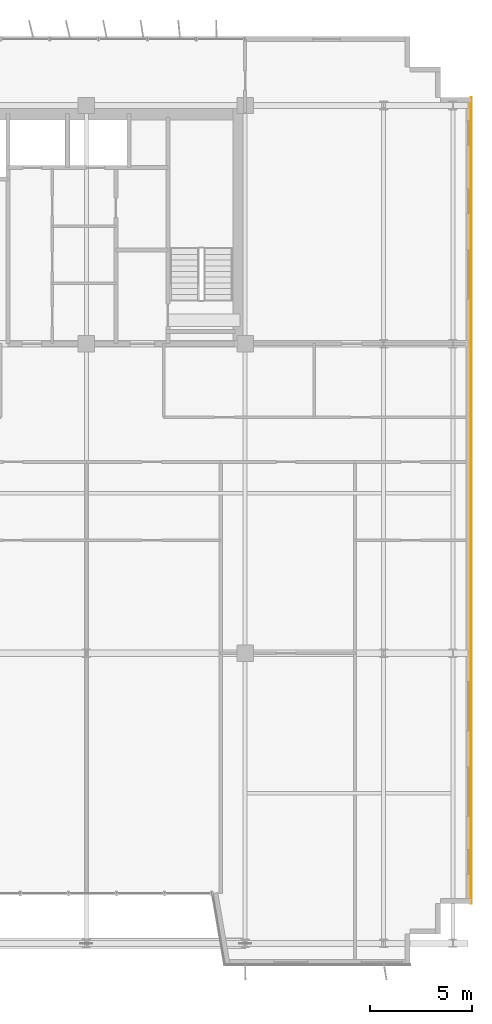
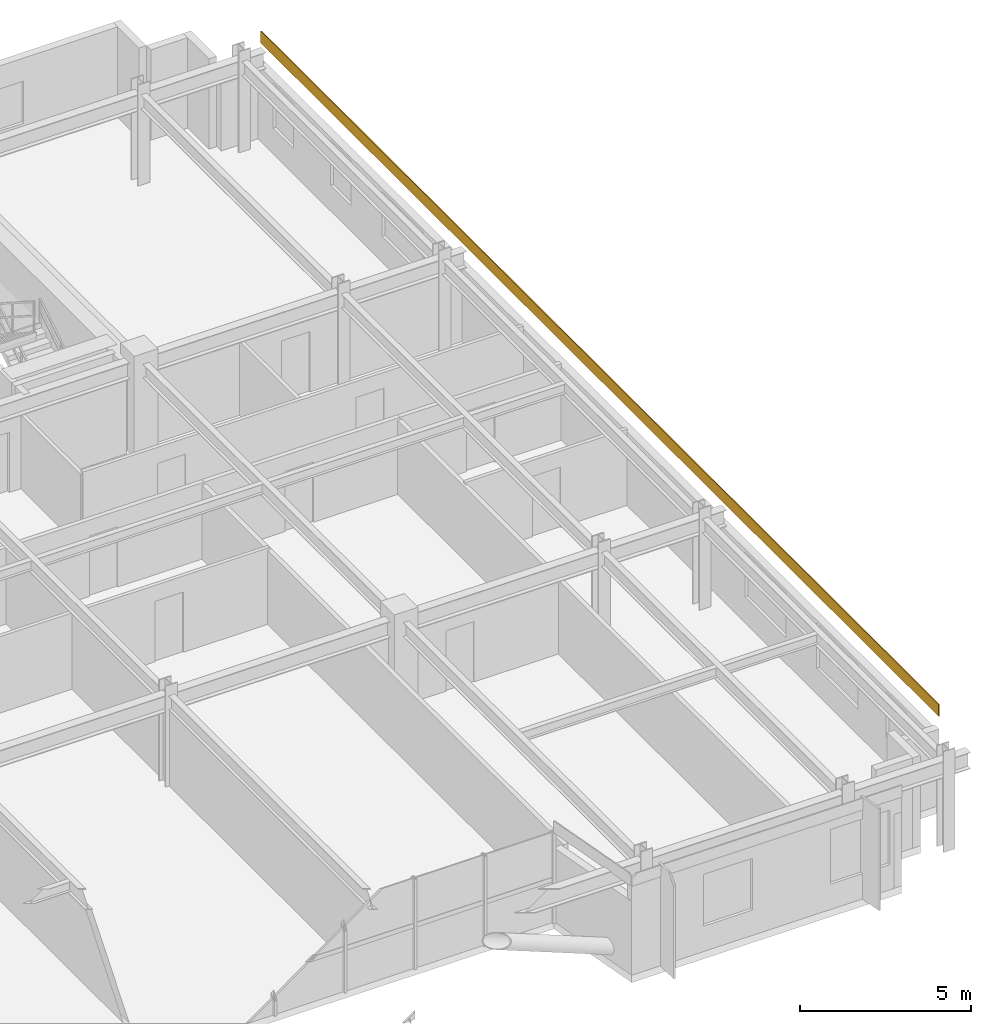
# One storey, part 26 of 26: 1 covering.
"""IFC4 building model written with IfcOpenShell, lengths in metres."""

from ifc_helpers import new_model, si_unit, direction, frame, origin, origin_2d, place, context, subcontext, project, spatial, rectangle, extrude, source, transform, mapped, material, layer, layer_set, type_object, element, save


model = new_model("IFC4")

# Units and contexts
model_context = context("Model", 3, precision=1e-05, world=origin(), true_north=direction((0.0, 1.0)))
body_context = subcontext(model_context, "Body", "Model", "MODEL_VIEW")
ifc_project = project(units=[si_unit("LENGTHUNIT", "METRE"), si_unit("AREAUNIT", "SQUARE_METRE"), si_unit("VOLUMEUNIT", "CUBIC_METRE"), si_unit("PLANEANGLEUNIT", "RADIAN"), si_unit("MASSUNIT", "GRAM", prefix="KILO")], contexts=[model_context])

# Site, building, storey
site_placement = place(None, origin())
site = spatial("IfcSite", under=ifc_project, at=site_placement, CompositionType="ELEMENT")
building_placement = place(site_placement, origin())
building = spatial("IfcBuilding", under=site, at=building_placement, Name="Trelvane Seafront Commons", CompositionType="ELEMENT")
storey_placement = place(building_placement, frame((0.0, 0.0, 128.5)))
storey = spatial("IfcBuildingStorey", under=building, at=storey_placement, Name="L33", CompositionType="ELEMENT", Elevation=128.5)

# Covering
ifc_material = material(Name="Anodised pale-silver aluminium", Category="aluminium")
ifc_layer = layer(ifc_material, 0.034912109375, Name="ARCH-COV-CLAD35")
ifc_layer_set = layer_set([ifc_layer], Name="Anodised pale-silver aluminium")
covering_type = type_object("IfcCoveringType", Name="ARCH-COV-CLAD35", PredefinedType="CLADDING", material=ifc_layer_set)
shared_shape = source(origin(), body_context, "Body", "SweptSolid", [
    extrude(rectangle(XDim=39.60009765625, YDim=0.034912109375, at=origin_2d()), origin(), (0.0, 0.0, 1.0), 0.419921875),
])
covering_placement = place(storey_placement, frame((69.89990234375, 25.699951171875, 3.179931640625), z_axis=(0.0, 0.0, 1.0), x_axis=(0.0, -1.0, 0.0)))
element("IfcCovering", 1, at=covering_placement, inside=storey, type_object=covering_type, Name="CLD-L33-00138", PredefinedType="CLADDING", context=body_context, shape_type="MappedRepresentation", body=[
    mapped(shared_shape, transform((0.0, 0.0, 0.0), x_axis=(1.0, 0.0, 0.0), y_axis=(0.0, 1.0, 0.0), z_axis=(0.0, 0.0, 1.0), scale=1.0)),
])

save(model, "model.ifc")
